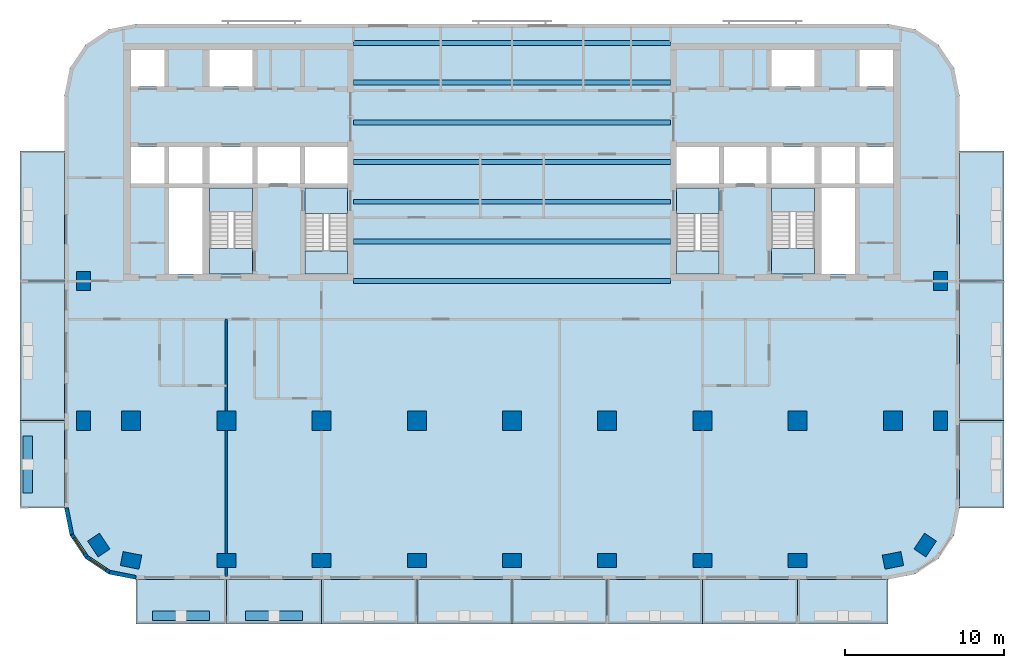
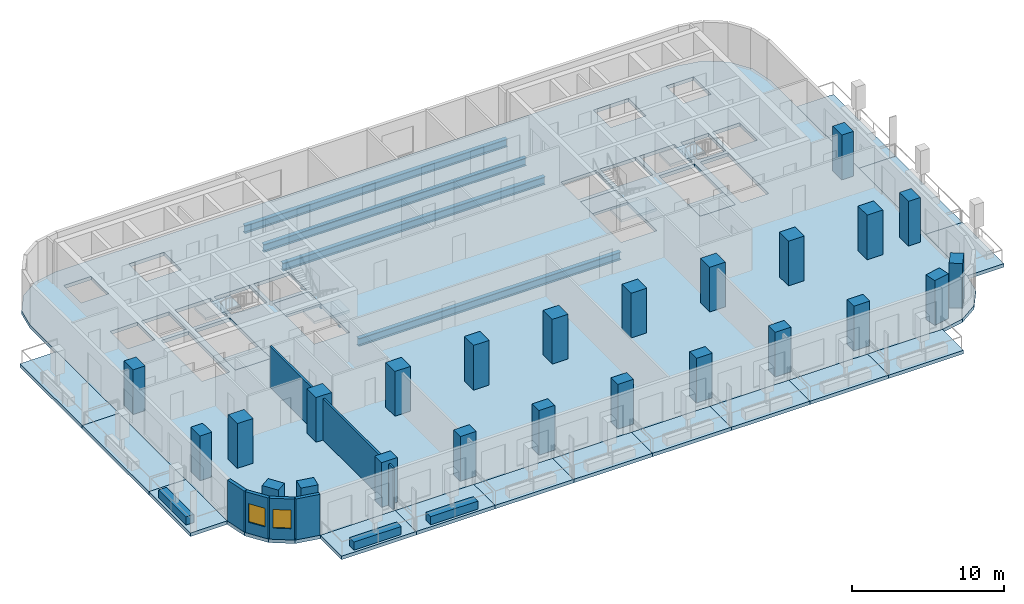
# One storey, part 1 of 11: 24 columns, 23 slabs, 8 walls, 7 beams, 2 windows, 2 openings, 4 elements without a shape of their own.
"""IFC4 building model written with IfcOpenShell, lengths in metres."""

from ifc_helpers import new_model, si_unit, direction, frame, frame_2d, origin, origin_2d, place, context, subcontext, project, spatial, polyline, rectangle, i_section, outline, extrude, material, layer, layer_set, material_profile, profile_set, type_object, element, fill, aggregate, save


model = new_model("IFC4")

# Units and contexts
model_context = context("Model", 3, precision=1e-05, world=origin(), true_north=direction((0.0, 1.0)))
body_context = subcontext(model_context, "Body", "Model", "MODEL_VIEW")
ifc_project = project(units=[si_unit("LENGTHUNIT", "METRE"), si_unit("AREAUNIT", "SQUARE_METRE"), si_unit("VOLUMEUNIT", "CUBIC_METRE"), si_unit("PLANEANGLEUNIT", "RADIAN"), si_unit("MASSUNIT", "GRAM", prefix="KILO")], contexts=[model_context])

# Site, building, storey
site_placement = place(None, origin())
site = spatial("IfcSite", under=ifc_project, at=site_placement, CompositionType="ELEMENT")
building_placement = place(site_placement, origin())
building = spatial("IfcBuilding", under=site, at=building_placement, Name="Torana Hotel and Residences", CompositionType="ELEMENT")
storey_placement = place(building_placement, frame((0.0, 0.0, 174.0)))
storey = spatial("IfcBuildingStorey", under=building, at=storey_placement, Name="L45", CompositionType="ELEMENT", Elevation=174.0)

# Columns
ifc_material_1 = material(Name="Concrete C70/85", Category="concrete")
ifc_material_profile_1 = material_profile(ifc_material_1, rectangle(XDim=1.199951171875, YDim=1.199951171875, at=origin_2d()), Name="RC 1200x1200")
ifc_profile_set_1 = profile_set([ifc_material_profile_1], Name="Concrete C70/85")
column_type_1 = type_object("IfcColumnType", Name="COLUMN RC 1200x1200 C70/85", PredefinedType="COLUMN", material=ifc_profile_set_1)
for number, where, z_axis, x_axis, name in (
    (1, (-24.0, -23.800048828125, 0.0), (0.0, 0.0, 1.0), (1.0, 0.0, 0.0), "Column L45"),
    (2, (-18.0, -23.800048828125, 0.0), (0.0, 0.0, 1.0), (1.0, 0.0, 0.0), "Column L45"),
    (3, (-12.0, -23.800048828125, 0.0), (0.0, 0.0, 1.0), (1.0, 0.0, 0.0), "Column L45"),
    (4, (-6.0, -23.800048828125, 0.0), (0.0, 0.0, 1.0), (1.0, 0.0, 0.0), "Column L45"),
    (5, (0.0, -23.800048828125, 0.0), (0.0, 0.0, 1.0), (1.0, 0.0, 0.0), "Column L45"),
    (6, (6.0, -23.800048828125, 0.0), (0.0, 0.0, 1.0), (1.0, 0.0, 0.0), "Column L45"),
    (7, (12.0, -23.800048828125, 0.0), (0.0, 0.0, 1.0), (1.0, 0.0, 0.0), "Column L45"),
    (8, (18.0, -23.800048828125, 0.0), (0.0, 0.0, 1.0), (1.0, 0.0, 0.0), "Column L45"),
    (9, (24.0, -23.800048828125, 0.0), (0.0, 0.0, 1.0), (1.0, 0.0, 0.0), "Column L45"),
):
    element("IfcColumn", number, at=place(storey_placement, frame(where, z_axis=z_axis, x_axis=x_axis)), inside=storey, type_object=column_type_1, Name=name, PredefinedType="COLUMN", context=body_context, shape_type="SweptSolid", body=[
        extrude(rectangle(XDim=1.199951171875, YDim=1.199951171875, at=origin_2d()), origin(), (0.0, 0.0, 1.0), 3.60009765625),
    ])
ifc_material_2 = material(Name="Concrete C70/85", Category="concrete")
ifc_material_profile_2 = material_profile(ifc_material_2, rectangle(XDim=1.199951171875, YDim=0.89990234375, at=origin_2d()), Name="RC 1200x900")
ifc_profile_set_2 = profile_set([ifc_material_profile_2], Name="Concrete C70/85")
column_type_2 = type_object("IfcColumnType", Name="COLUMN RC 1200x900 C70/85", PredefinedType="COLUMN", material=ifc_profile_set_2)
for number, where, z_axis, x_axis, name in (
    (10, (-27.0, -23.800048828125, 0.0), (0.0, 0.0, 1.0), (0.0, 1.0, 0.0), "Column L45"),
    (11, (-27.0, -15.0, 0.0), (0.0, 0.0, 1.0), (0.0, 1.0, 0.0), "Column L45"),
    (12, (-26.032958984375, -31.633056640625, 0.0), (0.0, 0.0, 1.0), (-0.555584744817, 0.831459915646, 0.0), "Column L45"),
    (13, (-24.0, -32.60009765625, 0.0), (0.0, 0.0, 1.0), (-0.980792089743, 0.195056086032, 0.0), "Column L45"),
    (14, (-18.0, -32.60009765625, 0.0), (0.0, 0.0, 1.0), (1.0, 0.0, 0.0), "Column L45"),
    (15, (-12.0, -32.60009765625, 0.0), (0.0, 0.0, 1.0), (1.0, 0.0, 0.0), "Column L45"),
    (16, (-6.0, -32.60009765625, 0.0), (0.0, 0.0, 1.0), (1.0, 0.0, 0.0), "Column L45"),
    (17, (0.0, -32.60009765625, 0.0), (0.0, 0.0, 1.0), (1.0, 0.0, 0.0), "Column L45"),
    (18, (6.0, -32.60009765625, 0.0), (0.0, 0.0, 1.0), (1.0, 0.0, 0.0), "Column L45"),
    (19, (12.0, -32.60009765625, 0.0), (0.0, 0.0, 1.0), (1.0, 0.0, 0.0), "Column L45"),
    (20, (18.0, -32.60009765625, 0.0), (0.0, 0.0, 1.0), (1.0, 0.0, 0.0), "Column L45"),
    (21, (24.0, -32.60009765625, 0.0), (0.0, 0.0, 1.0), (0.980792089743, 0.195056086032, 0.0), "Column L45"),
    (22, (26.032958984375, -31.633056640625, 0.0), (0.0, 0.0, 1.0), (0.555584744817, 0.831459915646, 0.0), "Column L45"),
    (23, (27.0, -23.800048828125, 0.0), (0.0, 0.0, 1.0), (0.0, 1.0, 0.0), "Column L45"),
    (24, (27.0, -15.0, 0.0), (0.0, 0.0, 1.0), (0.0, 1.0, 0.0), "Column L45"),
):
    element("IfcColumn", number, at=place(storey_placement, frame(where, z_axis=z_axis, x_axis=x_axis)), inside=storey, type_object=column_type_2, Name=name, PredefinedType="COLUMN", context=body_context, shape_type="SweptSolid", body=[
        extrude(rectangle(XDim=1.199951171875, YDim=0.89990234375, at=origin_2d()), origin(), (0.0, 0.0, 1.0), 3.60009765625),
    ])

# Beams
ifc_material_3 = material(Name="Steel S355", Category="steel")
ifc_material_profile_3 = material_profile(ifc_material_3, i_section(OverallWidth=0.311279296875, OverallDepth=0.6357421875, WebThickness=0.018310546875, FlangeThickness=0.031494140625, FilletRadius=0.0166015625, at=origin_2d()), Name="610x305x238 UB")
ifc_profile_set_3 = profile_set([ifc_material_profile_3], Name="Steel S355")
beam_type = type_object("IfcBeamType", Name="STEEL GIRDER 610x305x238 UB", PredefinedType="BEAM", material=ifc_profile_set_3)
for number, where, z_axis, x_axis, name in (
    (25, (-10.0, -15.0, -0.597900390625), (1.0, 0.0, 0.0), (0.0, 1.0, 0.0), "Floor girder"),
    (26, (-10.0, -12.5, -0.597900390625), (1.0, 0.0, 0.0), (0.0, 1.0, 0.0), "Floor girder"),
    (27, (-10.0, -10.0, -0.597900390625), (1.0, 0.0, 0.0), (0.0, 1.0, 0.0), "Floor girder"),
    (28, (-10.0, -7.5, -0.597900390625), (1.0, 0.0, 0.0), (0.0, 1.0, 0.0), "Floor girder"),
    (29, (-10.0, -5.0, -0.597900390625), (1.0, 0.0, 0.0), (0.0, 1.0, 0.0), "Floor girder"),
    (30, (-10.0, -2.5, -0.597900390625), (1.0, 0.0, 0.0), (0.0, 1.0, 0.0), "Floor girder"),
    (31, (-10.0, 0.0, -0.597900390625), (1.0, 0.0, 0.0), (0.0, 1.0, 0.0), "Floor girder"),
):
    element("IfcBeam", number, at=place(storey_placement, frame(where, z_axis=z_axis, x_axis=x_axis)), inside=storey, type_object=beam_type, Name=name, PredefinedType="BEAM", context=body_context, shape_type="SweptSolid", body=[
        extrude(i_section(OverallWidth=0.311279296875, OverallDepth=0.6357421875, WebThickness=0.018310546875, FlangeThickness=0.031494140625, FilletRadius=0.0166015625, at=origin_2d()), origin(), (0.0, 0.0, 1.0), 20.0),
    ])

# Slabs
ifc_material_4 = material(Name="Concrete C40/50", Category="concrete")
ifc_layer_1 = layer(ifc_material_4, 0.280029296875)
ifc_layer_set_1 = layer_set([ifc_layer_1], Name="BAL1 BALCONY SLAB 280")
slab_type_1 = type_object("IfcSlabType", Name="BAL1 BALCONY SLAB 280", PredefinedType="USERDEFINED", material=ifc_layer_set_1)
slab_1_placement = place(storey_placement, frame((0.0, 0.0, -0.280029296875)))
element("IfcSlab", 32, at=slab_1_placement, inside=storey, type_object=slab_type_1, Name="Balcony 01", ObjectType="BALCONY", PredefinedType="USERDEFINED", context=body_context, shape_type="SweptSolid", body=[
    extrude(outline(polyline([(-23.699951171875, -36.60009765625), (-18.0, -36.60009765625), (-18.0, -33.800048828125), (-23.699951171875, -33.800048828125), (-23.699951171875, -36.60009765625)])), origin(), (0.0, 0.0, 1.0), 0.280029296875),
])
slab_2_placement = place(storey_placement, frame((0.0, 0.0, -0.280029296875)))
element("IfcSlab", 33, at=slab_2_placement, inside=storey, type_object=slab_type_1, Name="Balcony 02", ObjectType="BALCONY", PredefinedType="USERDEFINED", context=body_context, shape_type="SweptSolid", body=[
    extrude(outline(polyline([(-18.0, -36.60009765625), (-12.0, -36.60009765625), (-12.0, -33.800048828125), (-18.0, -33.800048828125), (-18.0, -36.60009765625)])), origin(), (0.0, 0.0, 1.0), 0.280029296875),
])
slab_3_placement = place(storey_placement, frame((0.0, 0.0, -0.280029296875)))
element("IfcSlab", 34, at=slab_3_placement, inside=storey, type_object=slab_type_1, Name="Balcony 03", ObjectType="BALCONY", PredefinedType="USERDEFINED", context=body_context, shape_type="SweptSolid", body=[
    extrude(outline(polyline([(-12.0, -36.60009765625), (-6.0, -36.60009765625), (-6.0, -33.800048828125), (-12.0, -33.800048828125), (-12.0, -36.60009765625)])), origin(), (0.0, 0.0, 1.0), 0.280029296875),
])
slab_4_placement = place(storey_placement, frame((0.0, 0.0, -0.280029296875)))
element("IfcSlab", 35, at=slab_4_placement, inside=storey, type_object=slab_type_1, Name="Balcony 04", ObjectType="BALCONY", PredefinedType="USERDEFINED", context=body_context, shape_type="SweptSolid", body=[
    extrude(outline(polyline([(-6.0, -36.60009765625), (0.0, -36.60009765625), (0.0, -33.800048828125), (-6.0, -33.800048828125), (-6.0, -36.60009765625)])), origin(), (0.0, 0.0, 1.0), 0.280029296875),
])
slab_5_placement = place(storey_placement, frame((0.0, 0.0, -0.280029296875)))
element("IfcSlab", 36, at=slab_5_placement, inside=storey, type_object=slab_type_1, Name="Balcony 05", ObjectType="BALCONY", PredefinedType="USERDEFINED", context=body_context, shape_type="SweptSolid", body=[
    extrude(outline(polyline([(0.0, -36.60009765625), (6.0, -36.60009765625), (6.0, -33.800048828125), (0.0, -33.800048828125), (0.0, -36.60009765625)])), origin(), (0.0, 0.0, 1.0), 0.280029296875),
])
slab_6_placement = place(storey_placement, frame((0.0, 0.0, -0.280029296875)))
element("IfcSlab", 37, at=slab_6_placement, inside=storey, type_object=slab_type_1, Name="Balcony 06", ObjectType="BALCONY", PredefinedType="USERDEFINED", context=body_context, shape_type="SweptSolid", body=[
    extrude(outline(polyline([(6.0, -36.60009765625), (12.0, -36.60009765625), (12.0, -33.800048828125), (6.0, -33.800048828125), (6.0, -36.60009765625)])), origin(), (0.0, 0.0, 1.0), 0.280029296875),
])
slab_7_placement = place(storey_placement, frame((0.0, 0.0, -0.280029296875)))
element("IfcSlab", 38, at=slab_7_placement, inside=storey, type_object=slab_type_1, Name="Balcony 07", ObjectType="BALCONY", PredefinedType="USERDEFINED", context=body_context, shape_type="SweptSolid", body=[
    extrude(outline(polyline([(12.0, -36.60009765625), (18.0, -36.60009765625), (18.0, -33.800048828125), (12.0, -33.800048828125), (12.0, -36.60009765625)])), origin(), (0.0, 0.0, 1.0), 0.280029296875),
])
slab_8_placement = place(storey_placement, frame((0.0, 0.0, -0.280029296875)))
element("IfcSlab", 39, at=slab_8_placement, inside=storey, type_object=slab_type_1, Name="Balcony 08", ObjectType="BALCONY", PredefinedType="USERDEFINED", context=body_context, shape_type="SweptSolid", body=[
    extrude(outline(polyline([(18.0, -36.60009765625), (23.699951171875, -36.60009765625), (23.699951171875, -33.800048828125), (18.0, -33.800048828125), (18.0, -36.60009765625)])), origin(), (0.0, 0.0, 1.0), 0.280029296875),
])
slab_9_placement = place(storey_placement, frame((0.0, 0.0, -0.280029296875)))
element("IfcSlab", 40, at=slab_9_placement, inside=storey, type_object=slab_type_1, Name="Balcony 09", ObjectType="BALCONY", PredefinedType="USERDEFINED", context=body_context, shape_type="SweptSolid", body=[
    extrude(outline(polyline([(-31.0, -29.300048828125), (-28.199951171875, -29.300048828125), (-28.199951171875, -23.800048828125), (-31.0, -23.800048828125), (-31.0, -29.300048828125)])), origin(), (0.0, 0.0, 1.0), 0.280029296875),
])
slab_10_placement = place(storey_placement, frame((0.0, 0.0, -0.280029296875)))
element("IfcSlab", 41, at=slab_10_placement, inside=storey, type_object=slab_type_1, Name="Balcony 10", ObjectType="BALCONY", PredefinedType="USERDEFINED", context=body_context, shape_type="SweptSolid", body=[
    extrude(outline(polyline([(-31.0, -23.800048828125), (-28.199951171875, -23.800048828125), (-28.199951171875, -15.0), (-31.0, -15.0), (-31.0, -23.800048828125)])), origin(), (0.0, 0.0, 1.0), 0.280029296875),
])
slab_11_placement = place(storey_placement, frame((0.0, 0.0, -0.280029296875)))
element("IfcSlab", 42, at=slab_11_placement, inside=storey, type_object=slab_type_1, Name="Balcony 11", ObjectType="BALCONY", PredefinedType="USERDEFINED", context=body_context, shape_type="SweptSolid", body=[
    extrude(outline(polyline([(-31.0, -15.0), (-28.199951171875, -15.0), (-28.199951171875, -6.800048828125), (-31.0, -6.800048828125), (-31.0, -15.0)])), origin(), (0.0, 0.0, 1.0), 0.280029296875),
])
slab_12_placement = place(storey_placement, frame((0.0, 0.0, -0.280029296875)))
element("IfcSlab", 43, at=slab_12_placement, inside=storey, type_object=slab_type_1, Name="Balcony 12", ObjectType="BALCONY", PredefinedType="USERDEFINED", context=body_context, shape_type="SweptSolid", body=[
    extrude(outline(polyline([(28.199951171875, -29.300048828125), (31.0, -29.300048828125), (31.0, -23.800048828125), (28.199951171875, -23.800048828125), (28.199951171875, -29.300048828125)])), origin(), (0.0, 0.0, 1.0), 0.280029296875),
])
slab_13_placement = place(storey_placement, frame((0.0, 0.0, -0.280029296875)))
element("IfcSlab", 44, at=slab_13_placement, inside=storey, type_object=slab_type_1, Name="Balcony 13", ObjectType="BALCONY", PredefinedType="USERDEFINED", context=body_context, shape_type="SweptSolid", body=[
    extrude(outline(polyline([(28.199951171875, -23.800048828125), (31.0, -23.800048828125), (31.0, -15.0), (28.199951171875, -15.0), (28.199951171875, -23.800048828125)])), origin(), (0.0, 0.0, 1.0), 0.280029296875),
])
slab_14_placement = place(storey_placement, frame((0.0, 0.0, -0.280029296875)))
element("IfcSlab", 45, at=slab_14_placement, inside=storey, type_object=slab_type_1, Name="Balcony 14", ObjectType="BALCONY", PredefinedType="USERDEFINED", context=body_context, shape_type="SweptSolid", body=[
    extrude(outline(polyline([(28.199951171875, -15.0), (31.0, -15.0), (31.0, -6.800048828125), (28.199951171875, -6.800048828125), (28.199951171875, -15.0)])), origin(), (0.0, 0.0, 1.0), 0.280029296875),
])
ifc_material_5 = material(Name="Concrete C40/50", Category="concrete")
ifc_layer_2 = layer(ifc_material_5, 0.280029296875)
ifc_layer_set_2 = layer_set([ifc_layer_2], Name="FLOOR SLAB PT 280")
slab_type_2 = type_object("IfcSlabType", Name="FLOOR SLAB PT 280", PredefinedType="FLOOR", material=ifc_layer_set_2)
slab_15_placement = place(storey_placement, frame((0.0, 0.0, -0.280029296875)))
element("IfcSlab", 46, at=slab_15_placement, inside=storey, type_object=slab_type_2, Name="Floor slab", PredefinedType="FLOOR", context=body_context, shape_type="SweptSolid", body=[
    extrude(outline(polyline([(28.199951171875, -3.300048828125), (27.857421875, -1.577880859375), (26.882080078125, -0.117919921875), (25.422119140625, 0.857421875), (23.699951171875, 1.199951171875), (-23.699951171875, 1.199951171875), (-25.422119140625, 0.857421875), (-26.882080078125, -0.117919921875), (-27.857421875, -1.577880859375), (-28.199951171875, -3.300048828125), (-28.199951171875, -29.300048828125), (-27.857421875, -31.022216796875), (-26.882080078125, -32.48193359375), (-25.422119140625, -33.45751953125), (-23.699951171875, -33.800048828125), (23.699951171875, -33.800048828125), (25.422119140625, -33.45751953125), (26.882080078125, -32.48193359375), (27.857421875, -31.022216796875), (28.199951171875, -29.300048828125), (28.199951171875, -3.300048828125)]), holes=[polyline([(-13.050048828125, -14.550048828125), (-10.35009765625, -14.550048828125), (-10.35009765625, -9.14990234375), (-13.050048828125, -9.14990234375), (-13.050048828125, -14.550048828125)]), polyline([(-19.050048828125, -14.550048828125), (-16.35009765625, -14.550048828125), (-16.35009765625, -9.14990234375), (-19.050048828125, -9.14990234375), (-19.050048828125, -14.550048828125)]), polyline([(-19.050048828125, -2.75), (-16.35009765625, -2.75), (-16.35009765625, -0.449951171875), (-19.050048828125, -0.449951171875), (-19.050048828125, -2.75)]), polyline([(-21.60009765625, -8.85009765625), (-19.5, -8.85009765625), (-19.5, -6.550048828125), (-21.60009765625, -6.550048828125), (-21.60009765625, -8.85009765625)]), polyline([(-24.0, -2.75), (-21.89990234375, -2.75), (-21.89990234375, -0.449951171875), (-24.0, -0.449951171875), (-24.0, -2.75)]), polyline([(-24.0, -8.85009765625), (-21.89990234375, -8.85009765625), (-21.89990234375, -6.550048828125), (-24.0, -6.550048828125), (-24.0, -8.85009765625)]), polyline([(-13.050048828125, -8.85009765625), (-10.35009765625, -8.85009765625), (-10.35009765625, -6.550048828125), (-13.050048828125, -6.550048828125), (-13.050048828125, -8.85009765625)]), polyline([(-16.050048828125, -8.85009765625), (-13.35009765625, -8.85009765625), (-13.35009765625, -6.550048828125), (-16.050048828125, -6.550048828125), (-16.050048828125, -8.85009765625)]), polyline([(-19.050048828125, -8.85009765625), (-16.35009765625, -8.85009765625), (-16.35009765625, -6.550048828125), (-19.050048828125, -6.550048828125), (-19.050048828125, -8.85009765625)]), polyline([(-21.60009765625, -14.550048828125), (-19.5, -14.550048828125), (-19.5, -9.14990234375), (-21.60009765625, -9.14990234375), (-21.60009765625, -14.550048828125)]), polyline([(10.35009765625, -14.550048828125), (13.050048828125, -14.550048828125), (13.050048828125, -9.14990234375), (10.35009765625, -9.14990234375), (10.35009765625, -14.550048828125)]), polyline([(16.35009765625, -14.550048828125), (19.050048828125, -14.550048828125), (19.050048828125, -9.14990234375), (16.35009765625, -9.14990234375), (16.35009765625, -14.550048828125)]), polyline([(16.35009765625, -2.75), (19.050048828125, -2.75), (19.050048828125, -0.449951171875), (16.35009765625, -0.449951171875), (16.35009765625, -2.75)]), polyline([(19.5, -8.85009765625), (21.60009765625, -8.85009765625), (21.60009765625, -6.550048828125), (19.5, -6.550048828125), (19.5, -8.85009765625)]), polyline([(21.89990234375, -2.75), (24.0, -2.75), (24.0, -0.449951171875), (21.89990234375, -0.449951171875), (21.89990234375, -2.75)]), polyline([(21.89990234375, -8.85009765625), (24.0, -8.85009765625), (24.0, -6.550048828125), (21.89990234375, -6.550048828125), (21.89990234375, -8.85009765625)]), polyline([(10.35009765625, -8.85009765625), (13.050048828125, -8.85009765625), (13.050048828125, -6.550048828125), (10.35009765625, -6.550048828125), (10.35009765625, -8.85009765625)]), polyline([(13.35009765625, -8.85009765625), (16.050048828125, -8.85009765625), (16.050048828125, -6.550048828125), (13.35009765625, -6.550048828125), (13.35009765625, -8.85009765625)]), polyline([(16.35009765625, -8.85009765625), (19.050048828125, -8.85009765625), (19.050048828125, -6.550048828125), (16.35009765625, -6.550048828125), (16.35009765625, -8.85009765625)]), polyline([(19.5, -14.550048828125), (21.60009765625, -14.550048828125), (21.60009765625, -9.14990234375), (19.5, -9.14990234375), (19.5, -14.550048828125)])]), origin(), (0.0, 0.0, 1.0), 0.280029296875),
])

# Stair, slabs
ifc_material_6 = material(Name="Concrete C40/50 precast", Category="concrete")
stair_type_1 = type_object("IfcStairType", Name="STAIR ST1 HALF TURN 1200", PredefinedType="HALF_TURN_STAIR", material=ifc_material_6)
stair_1_placement = place(storey_placement, origin())
stair_1 = element("IfcStair", 47, at=stair_1_placement, inside=storey, type_object=stair_type_1, Name="Stair ST1 L45", PredefinedType="HALF_TURN_STAIR")
ifc_material_7 = material(Name="Concrete C40/50 precast", Category="concrete")
ifc_layer_3 = layer(ifc_material_7, 0.199951171875)
ifc_layer_set_3 = layer_set([ifc_layer_3], Name="STAIR LANDING 200")
slab_type_3 = type_object("IfcSlabType", Name="STAIR LANDING 200", PredefinedType="LANDING", material=ifc_layer_set_3)
slab_16_placement = place(storey_placement, frame((0.0, 0.0, 1.60009765625)))
slab_16 = element("IfcSlab", 48, at=slab_16_placement, type_object=slab_type_3, Name="ST1 landing 1", PredefinedType="LANDING", context=body_context, shape_type="SweptSolid", body=[
    extrude(outline(polyline([(-13.050048828125, -14.550048828125), (-10.35009765625, -14.550048828125), (-10.35009765625, -13.090087890625), (-13.050048828125, -13.090087890625), (-13.050048828125, -14.550048828125)])), origin(), (0.0, 0.0, 1.0), 0.199951171875),
])
slab_17_placement = place(storey_placement, frame((0.0, 0.0, -0.199951171875)))
slab_17 = element("IfcSlab", 49, at=slab_17_placement, type_object=slab_type_3, Name="ST1 landing 2", PredefinedType="LANDING", context=body_context, shape_type="SweptSolid", body=[
    extrude(outline(polyline([(-13.050048828125, -10.75), (-10.35009765625, -10.75), (-10.35009765625, -9.14990234375), (-13.050048828125, -9.14990234375), (-13.050048828125, -10.75)])), origin(), (0.0, 0.0, 1.0), 0.199951171875),
])
aggregate(stair_1, [slab_16, slab_17])

ifc_material_8 = material(Name="Concrete C40/50 precast", Category="concrete")
stair_type_2 = type_object("IfcStairType", Name="STAIR ST2 HALF TURN 1200", PredefinedType="HALF_TURN_STAIR", material=ifc_material_8)
stair_2_placement = place(storey_placement, origin())
stair_2 = element("IfcStair", 50, at=stair_2_placement, inside=storey, type_object=stair_type_2, Name="Stair ST2 L45", PredefinedType="HALF_TURN_STAIR")
slab_18_placement = place(storey_placement, frame((0.0, 0.0, 1.60009765625)))
slab_18 = element("IfcSlab", 51, at=slab_18_placement, type_object=slab_type_3, Name="ST2 landing 1", PredefinedType="LANDING", context=body_context, shape_type="SweptSolid", body=[
    extrude(outline(polyline([(-19.050048828125, -10.610107421875), (-16.35009765625, -10.610107421875), (-16.35009765625, -9.14990234375), (-19.050048828125, -9.14990234375), (-19.050048828125, -10.610107421875)])), origin(), (0.0, 0.0, 1.0), 0.199951171875),
])
slab_19_placement = place(storey_placement, frame((0.0, 0.0, -0.199951171875)))
slab_19 = element("IfcSlab", 52, at=slab_19_placement, type_object=slab_type_3, Name="ST2 landing 2", PredefinedType="LANDING", context=body_context, shape_type="SweptSolid", body=[
    extrude(outline(polyline([(-19.050048828125, -14.550048828125), (-16.35009765625, -14.550048828125), (-16.35009765625, -12.949951171875), (-19.050048828125, -12.949951171875), (-19.050048828125, -14.550048828125)])), origin(), (0.0, 0.0, 1.0), 0.199951171875),
])
aggregate(stair_2, [slab_18, slab_19])

ifc_material_9 = material(Name="Concrete C40/50 precast", Category="concrete")
stair_type_3 = type_object("IfcStairType", Name="STAIR ST3 HALF TURN 1200", PredefinedType="HALF_TURN_STAIR", material=ifc_material_9)
stair_3_placement = place(storey_placement, origin())
stair_3 = element("IfcStair", 53, at=stair_3_placement, inside=storey, type_object=stair_type_3, Name="Stair ST3 L45", PredefinedType="HALF_TURN_STAIR")
slab_20_placement = place(storey_placement, frame((0.0, 0.0, 1.60009765625)))
slab_20 = element("IfcSlab", 54, at=slab_20_placement, type_object=slab_type_3, Name="ST3 landing 1", PredefinedType="LANDING", context=body_context, shape_type="SweptSolid", body=[
    extrude(outline(polyline([(10.35009765625, -14.550048828125), (13.050048828125, -14.550048828125), (13.050048828125, -13.090087890625), (10.35009765625, -13.090087890625), (10.35009765625, -14.550048828125)])), origin(), (0.0, 0.0, 1.0), 0.199951171875),
])
slab_21_placement = place(storey_placement, frame((0.0, 0.0, -0.199951171875)))
slab_21 = element("IfcSlab", 55, at=slab_21_placement, type_object=slab_type_3, Name="ST3 landing 2", PredefinedType="LANDING", context=body_context, shape_type="SweptSolid", body=[
    extrude(outline(polyline([(10.35009765625, -10.75), (13.050048828125, -10.75), (13.050048828125, -9.14990234375), (10.35009765625, -9.14990234375), (10.35009765625, -10.75)])), origin(), (0.0, 0.0, 1.0), 0.199951171875),
])
aggregate(stair_3, [slab_20, slab_21])

ifc_material_10 = material(Name="Concrete C40/50 precast", Category="concrete")
stair_type_4 = type_object("IfcStairType", Name="STAIR ST4 HALF TURN 1200", PredefinedType="HALF_TURN_STAIR", material=ifc_material_10)
stair_4_placement = place(storey_placement, origin())
stair_4 = element("IfcStair", 56, at=stair_4_placement, inside=storey, type_object=stair_type_4, Name="Stair ST4 L45", PredefinedType="HALF_TURN_STAIR")
slab_22_placement = place(storey_placement, frame((0.0, 0.0, 1.60009765625)))
slab_22 = element("IfcSlab", 57, at=slab_22_placement, type_object=slab_type_3, Name="ST4 landing 1", PredefinedType="LANDING", context=body_context, shape_type="SweptSolid", body=[
    extrude(outline(polyline([(16.35009765625, -10.610107421875), (19.050048828125, -10.610107421875), (19.050048828125, -9.14990234375), (16.35009765625, -9.14990234375), (16.35009765625, -10.610107421875)])), origin(), (0.0, 0.0, 1.0), 0.199951171875),
])
slab_23_placement = place(storey_placement, frame((0.0, 0.0, -0.199951171875)))
slab_23 = element("IfcSlab", 58, at=slab_23_placement, type_object=slab_type_3, Name="ST4 landing 2", PredefinedType="LANDING", context=body_context, shape_type="SweptSolid", body=[
    extrude(outline(polyline([(16.35009765625, -14.550048828125), (19.050048828125, -14.550048828125), (19.050048828125, -12.949951171875), (16.35009765625, -12.949951171875), (16.35009765625, -14.550048828125)])), origin(), (0.0, 0.0, 1.0), 0.199951171875),
])
aggregate(stair_4, [slab_22, slab_23])

# Wall
ifc_material_11 = material(Name="Black aluminium composite panel", Category="aluminium")
ifc_layer_4 = layer(ifc_material_11, 0.00390625, Name="Cladding", Category="cladding")
ifc_material_12 = material(Name="Ventilated air cavity")
ifc_layer_5 = layer(ifc_material_12, 0.0400390625, Name="Ventilated cavity", Category="cavity")
ifc_material_13 = material(Name="Mineral wool insulation")
ifc_layer_6 = layer(ifc_material_13, 0.090087890625, Name="Insulation", Category="insulation")
ifc_material_14 = material(Name="Steel S280GD", Category="steel")
ifc_layer_7 = layer(ifc_material_14, 0.092041015625, Name="Steel stud frame", Category="structure")
ifc_material_15 = material(Name="Fire rated plasterboard")
ifc_layer_8 = layer(ifc_material_15, 0.011962890625, Name="Inner board", Category="finish")
ifc_layer_9 = layer(ifc_material_15, 0.011962890625, Name="Second board", Category="finish")
ifc_layer_set_4 = layer_set([ifc_layer_4, ifc_layer_5, ifc_layer_6, ifc_layer_7, ifc_layer_8, ifc_layer_9], Name="EW1 EXTERNAL WALL BLACK METAL CLAD 250")
wall_type_1 = type_object("IfcWallType", Name="EW1 EXTERNAL WALL BLACK METAL CLAD 250", PredefinedType="SOLIDWALL", material=ifc_layer_set_4)
wall_1_placement = place(storey_placement, frame((-28.072509765625, -29.2998046875, 0.0), z_axis=(0.0, 0.0, 1.0), x_axis=(0.194999110559, -0.980803419081, 0.0)))
element("IfcWall", 59, at=wall_1_placement, inside=storey, type_object=wall_type_1, Name="External wall L45 e0.10", PredefinedType="SOLIDWALL", context=body_context, shape_type="SweptSolid", body=[
    extrude(rectangle(XDim=1.681396484375, YDim=0.25, at=frame_2d((0.8408203125, 0.0))), origin(), (0.0, 0.0, 1.0), 3.300048828125),
])

# Wall, opening, window
wall_2_placement = place(storey_placement, frame((-27.725830078125, -30.993896484375, 0.0), z_axis=(0.0, 0.0, 1.0), x_axis=(0.55555029066, -0.831482937015, 0.0)))
wall_2 = element("IfcWall", 60, at=wall_2_placement, inside=storey, type_object=wall_type_1, Name="External wall L45 e0.11", PredefinedType="SOLIDWALL", context=body_context, shape_type="SweptSolid", body=[
    extrude(rectangle(XDim=1.65625, YDim=0.25, at=frame_2d((0.828125, 0.0))), origin(), (0.0, 0.0, 1.0), 3.300048828125),
])
opening_1_placement = place(wall_2_placement, frame((0.228271484375, 0.0, 0.89990234375)))
opening_1 = element("IfcOpeningElement", 61, at=opening_1_placement, cuts=wall_2, Name="Opening W5", PredefinedType="OPENING", context=body_context, shape_type="SweptSolid", body=[
    extrude(rectangle(XDim=1.199951171875, YDim=1.5, at=frame_2d((0.60009765625, 0.75))), frame((0.0, 0.135009765625, 0.0), z_axis=(0.0, -1.0, 0.0), x_axis=(1.0, 0.0, 0.0)), (0.0, 0.0, 1.0), 0.27001953125),
])
ifc_material_16 = material(Name="Dark glass in black aluminium frame", Category="aluminium")
window_type = type_object("IfcWindowType", Name="W5 CORNER FACET WINDOW 1200x1500", PartitioningType="SINGLE_PANEL", PredefinedType="WINDOW", material=ifc_material_16)
window_1_placement = place(opening_1_placement, origin())
window_1 = element("IfcWindow", 62, at=window_1_placement, inside=storey, type_object=window_type, Name="Window L45 e0.11", OverallHeight=1.5, OverallWidth=1.199951171875, PartitioningType="SINGLE_PANEL", PredefinedType="WINDOW", context=body_context, shape_type="SweptSolid", body=[
    extrude(rectangle(XDim=1.199951171875, YDim=1.5, at=frame_2d((0.60009765625, 0.75))), frame((0.0, 0.030029296875, 0.0), z_axis=(0.0, -1.0, 0.0), x_axis=(1.0, 0.0, 0.0)), (0.0, 0.0, 1.0), 0.06005859375),
])
fill(opening_1, window_1)

wall_3_placement = place(storey_placement, frame((-26.771240234375, -32.40576171875, 0.0), z_axis=(0.0, 0.0, 1.0), x_axis=(0.831482937015, -0.55555029066, 0.0)))
wall_3 = element("IfcWall", 63, at=wall_3_placement, inside=storey, type_object=wall_type_1, Name="External wall L45 e0.12", PredefinedType="SOLIDWALL", context=body_context, shape_type="SweptSolid", body=[
    extrude(rectangle(XDim=1.65625, YDim=0.25, at=frame_2d((0.828125, 0.0))), origin(), (0.0, 0.0, 1.0), 3.300048828125),
])
opening_2_placement = place(wall_3_placement, frame((0.228271484375, 0.0, 0.89990234375)))
opening_2 = element("IfcOpeningElement", 64, at=opening_2_placement, cuts=wall_3, Name="Opening W5", PredefinedType="OPENING", context=body_context, shape_type="SweptSolid", body=[
    extrude(rectangle(XDim=1.199951171875, YDim=1.5, at=frame_2d((0.60009765625, 0.75))), frame((0.0, 0.135009765625, 0.0), z_axis=(0.0, -1.0, 0.0), x_axis=(1.0, 0.0, 0.0)), (0.0, 0.0, 1.0), 0.27001953125),
])
window_2_placement = place(opening_2_placement, origin())
window_2 = element("IfcWindow", 65, at=window_2_placement, inside=storey, type_object=window_type, Name="Window L45 e0.12", OverallHeight=1.5, OverallWidth=1.199951171875, PartitioningType="SINGLE_PANEL", PredefinedType="WINDOW", context=body_context, shape_type="SweptSolid", body=[
    extrude(rectangle(XDim=1.199951171875, YDim=1.5, at=frame_2d((0.60009765625, 0.75))), frame((0.0, 0.030029296875, 0.0), z_axis=(0.0, -1.0, 0.0), x_axis=(1.0, 0.0, 0.0)), (0.0, 0.0, 1.0), 0.06005859375),
])
fill(opening_2, window_2)

# Walls
wall_4_placement = place(storey_placement, frame((-25.348876953125, -33.344482421875, 0.0), z_axis=(0.0, 0.0, 1.0), x_axis=(0.980775640221, -0.19513878023, 0.0)))
element("IfcWall", 66, at=wall_4_placement, inside=storey, type_object=wall_type_1, Name="External wall L45 e0.13", PredefinedType="SOLIDWALL", context=body_context, shape_type="SweptSolid", body=[
    extrude(rectangle(XDim=1.681396484375, YDim=0.25, at=frame_2d((0.8408203125, 0.0))), origin(), (0.0, 0.0, 1.0), 3.300048828125),
])
ifc_material_17 = material(Name="Gypsum plasterboard")
ifc_layer_10 = layer(ifc_material_17, 0.012451171875, Name="Plasterboard", Category="finish")
ifc_layer_11 = layer(ifc_material_17, 0.012451171875, Name="Plasterboard", Category="finish")
ifc_layer_12 = layer(ifc_material_14, 0.10009765625, Name="Steel studs with mineral wool", Category="insulation")
ifc_layer_13 = layer(ifc_material_17, 0.012451171875, Name="Plasterboard", Category="finish")
ifc_layer_14 = layer(ifc_material_17, 0.012451171875, Name="Plasterboard", Category="finish")
ifc_layer_set_5 = layer_set([ifc_layer_10, ifc_layer_11, ifc_layer_12, ifc_layer_13, ifc_layer_14], Name="PARTITION 150 PLASTERBOARD")
wall_type_2 = type_object("IfcWallType", Name="PARTITION 150 PLASTERBOARD", PredefinedType="PARTITIONING", material=ifc_layer_set_5)
wall_5_placement = place(storey_placement, frame((-18.0, -33.6201171875, 0.0), z_axis=(0.0, 0.0, 1.0), x_axis=(0.0, 1.0, 0.0)))
element("IfcWall", 67, at=wall_5_placement, inside=storey, type_object=wall_type_2, Name="Partition L45", PredefinedType="PARTITIONING", context=body_context, shape_type="SweptSolid", body=[
    extrude(rectangle(XDim=16.22021484375, YDim=0.14990234375, at=frame_2d((8.110107421875, 0.0))), origin(), (0.0, 0.0, 1.0), 3.320068359375),
])
ifc_material_18 = material(Name="Concrete C40/50 precast", Category="concrete")
ifc_layer_15 = layer(ifc_material_18, 0.10009765625, Name="Planter shell", Category="structure")
ifc_material_19 = material(Name="Root resistant membrane")
ifc_layer_16 = layer(ifc_material_19, 0.00390625, Name="Waterproofing membrane", Category="membrane")
ifc_material_20 = material(Name="Drainage board with filter fleece")
ifc_layer_17 = layer(ifc_material_20, 0.02001953125, Name="Drainage board", Category="drainage")
ifc_material_21 = material(Name="Growing medium")
ifc_layer_18 = layer(ifc_material_21, 0.47607421875, Name="Planting substrate", Category="soil")
ifc_layer_set_6 = layer_set([ifc_layer_15, ifc_layer_16, ifc_layer_17, ifc_layer_18], Name="PL1 BALCONY PLANTER 600")
wall_type_3 = type_object("IfcWallType", Name="PL1 BALCONY PLANTER 600", PredefinedType="USERDEFINED", material=ifc_layer_set_6)
wall_6_placement = place(storey_placement, frame((-19.050048828125, -36.10009765625, 0.0), z_axis=(0.0, 0.0, 1.0), x_axis=(-1.0, 0.0, 0.0)))
element("IfcWall", 68, at=wall_6_placement, inside=storey, type_object=wall_type_3, Name="Planter 01", ObjectType="PLANTER", PredefinedType="USERDEFINED", context=body_context, shape_type="SweptSolid", body=[
    extrude(rectangle(XDim=3.599853515625, YDim=0.60009765625, at=frame_2d((1.7998046875, 0.0))), origin(), (0.0, 0.0, 1.0), 0.64990234375),
])
for number, where, z_axis, x_axis, name in (
    (69, (-13.199951171875, -36.10009765625, 0.0), (0.0, 0.0, 1.0), (-1.0, 0.0, 0.0), "Planter 02"),
    (70, (-30.5, -28.35009765625, 0.0), (0.0, 0.0, 1.0), (0.0, 1.0, 0.0), "Planter 09"),
):
    element("IfcWall", number, at=place(storey_placement, frame(where, z_axis=z_axis, x_axis=x_axis)), inside=storey, type_object=wall_type_3, Name=name, ObjectType="PLANTER", PredefinedType="USERDEFINED", context=body_context, shape_type="SweptSolid", body=[
        extrude(rectangle(XDim=3.60009765625, YDim=0.60009765625, at=frame_2d((1.800048828125, 0.0))), origin(), (0.0, 0.0, 1.0), 0.64990234375),
    ])

save(model, "model.ifc")
